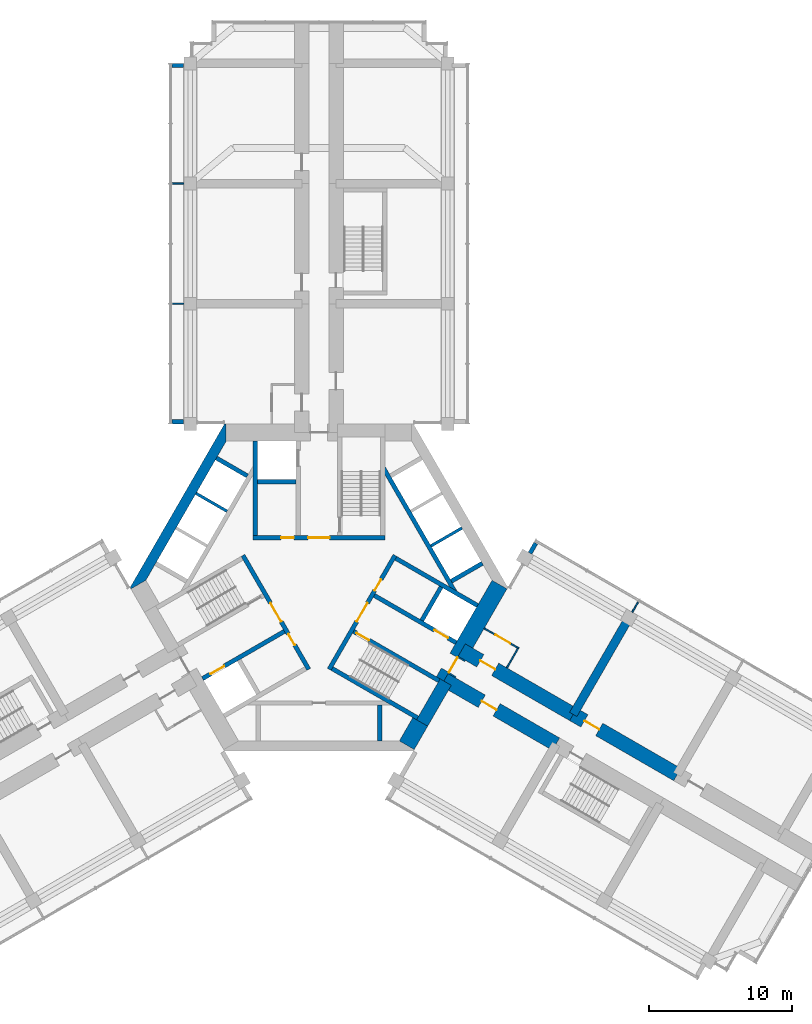
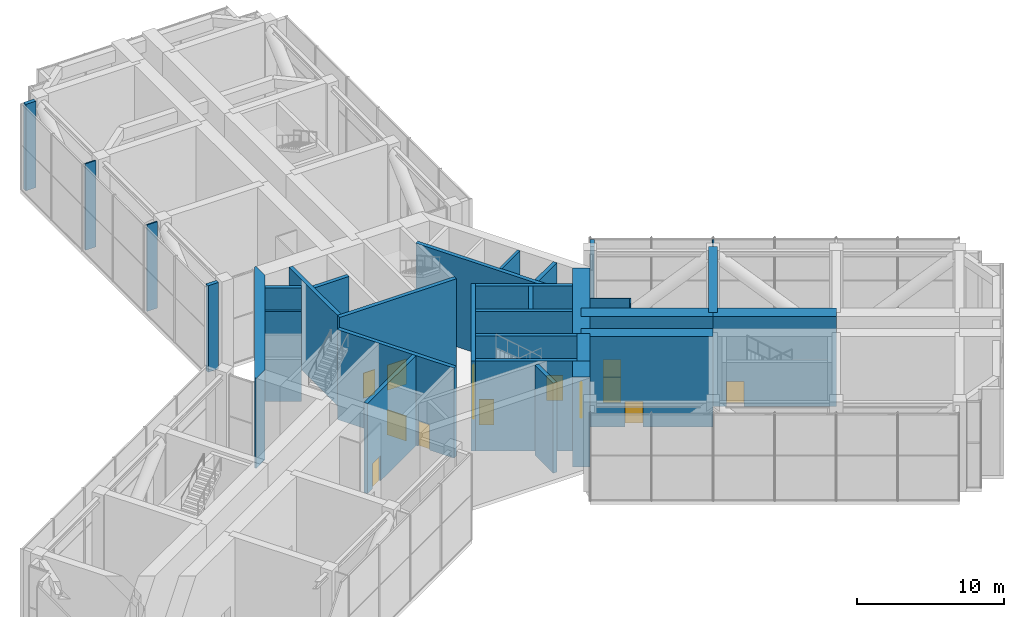
# One storey, part 13 of 16: 33 walls, 14 doors, 14 openings.
"""IFC4 building model written with IfcOpenShell, lengths in metres."""

from ifc_helpers import new_model, si_unit, direction, frame, frame_2d, origin, place, context, subcontext, project, spatial, polyline, rectangle, outline, extrude, material, layer, layer_set, type_object, element, fill, save


model = new_model("IFC4")

# Units and contexts
model_context = context("Model", 3, precision=1e-05, world=origin(), true_north=direction((0.0, 1.0)))
body_context = subcontext(model_context, "Body", "Model", "MODEL_VIEW")
ifc_project = project(units=[si_unit("LENGTHUNIT", "METRE"), si_unit("AREAUNIT", "SQUARE_METRE"), si_unit("VOLUMEUNIT", "CUBIC_METRE"), si_unit("PLANEANGLEUNIT", "RADIAN"), si_unit("MASSUNIT", "GRAM", prefix="KILO")], contexts=[model_context])

# Site, building, storey
site_placement = place(None, origin())
site = spatial("IfcSite", under=ifc_project, at=site_placement, CompositionType="ELEMENT")
building_placement = place(site_placement, origin())
building = spatial("IfcBuilding", under=site, at=building_placement, Name="Impinga Residences", CompositionType="ELEMENT")
storey_placement = place(building_placement, frame((0.0, 0.0, 181.0)))
storey = spatial("IfcBuildingStorey", under=building, at=storey_placement, Name="L45", CompositionType="ELEMENT", Elevation=181.0)

# Walls
ifc_material_1 = material(Name="Concrete blockwork", Category="masonry")
ifc_layer_1 = layer(ifc_material_1, 0.10009765625)
ifc_layer_set_1 = layer_set([ifc_layer_1], Name="CP1 core room partition, blockwork 100")
wall_type_1 = type_object("IfcWallType", Name="CP1 core room partition, blockwork 100", PredefinedType="PARTITIONING", material=ifc_layer_set_1)
for number, where, z_axis, x_axis, name in (
    (1, (-9.449951171875, 19.83154296875, 0.0), (0.0, 0.0, 1.0), (-1.0, 0.0, 0.0), "Core room partition, blockwork L45-NA1:PS1b"),
    (2, (-9.449951171875, 28.2314453125, 0.0), (0.0, 0.0, 1.0), (-1.0, 0.0, 0.0), "Core room partition, blockwork L45-NA1:PS2b"),
):
    element("IfcWall", number, at=place(storey_placement, frame(where, z_axis=z_axis, x_axis=x_axis)), inside=storey, type_object=wall_type_1, Name=name, PredefinedType="PARTITIONING", context=body_context, shape_type="SweptSolid", body=[
        extrude(rectangle(XDim=0.8095703125, YDim=0.10009765625, at=frame_2d((0.40478515625, 0.0))), origin(), (0.0, 0.0, 1.0), 7.199951171875),
    ])

# Wall, opening, door
wall_1_placement = place(storey_placement, frame((11.550048828125, -2.85791015625, 0.0), z_axis=(0.0, 0.0, 1.0), x_axis=(0.866034573852, -0.49998411664, 0.0)))
wall_1 = element("IfcWall", 3, at=wall_1_placement, inside=storey, type_object=wall_type_1, Name="Core room partition, blockwork L45-EA1:L1", PredefinedType="PARTITIONING", context=body_context, shape_type="SweptSolid", body=[
    extrude(rectangle(XDim=2.7998046875, YDim=0.10009765625, at=frame_2d((1.39990234375, 0.0))), origin(), (0.0, 0.0, 1.0), 7.199951171875),
])
opening_1_placement = place(wall_1_placement, frame((0.89990234375, 0.0, 0.0)))
opening_1 = element("IfcOpeningElement", 4, at=opening_1_placement, cuts=wall_1, Name="Opening D3", PredefinedType="OPENING", context=body_context, shape_type="SweptSolid", body=[
    extrude(rectangle(XDim=1.199951171875, YDim=2.10009765625, at=frame_2d((0.60009765625, 1.050048828125))), frame((0.0, 0.06005859375, 0.0), z_axis=(0.0, -1.0, 0.0), x_axis=(1.0, 0.0, 0.0)), (0.0, 0.0, 1.0), 0.1201171875),
])
ifc_material_2 = material(Name="Timber door set", Category="wood")
door_type_1 = type_object("IfcDoorType", Name="D3 room door, leaf and a half 1200x2100", OperationType="DOUBLE_SWING_LEFT", PredefinedType="DOOR", material=ifc_material_2)
door_1_placement = place(opening_1_placement, origin())
door_1 = element("IfcDoor", 5, at=door_1_placement, inside=storey, type_object=door_type_1, Name="Electrical switchgear plant room door L45-EA1", OperationType="DOUBLE_SWING_LEFT", OverallHeight=2.10009765625, OverallWidth=1.199951171875, PredefinedType="DOOR", context=body_context, shape_type="SweptSolid", body=[
    extrude(rectangle(XDim=1.199951171875, YDim=2.10009765625, at=frame_2d((0.60009765625, 1.050048828125))), frame((0.0, 0.02490234375, 0.0), z_axis=(0.0, -1.0, 0.0), x_axis=(1.0, 0.0, 0.0)), (0.0, 0.0, 1.0), 0.050048828125),
])
fill(opening_1, door_1)

# Walls
wall_2_placement = place(storey_placement, frame((13.131591796875, -5.618408203125, 0.0), z_axis=(0.0, 0.0, 1.0), x_axis=(0.499967891604, 0.866043940782, 0.0)))
element("IfcWall", 6, at=wall_2_placement, inside=storey, type_object=wall_type_1, Name="Core room partition, blockwork L45-EA1:L2", PredefinedType="PARTITIONING", context=body_context, shape_type="SweptSolid", body=[
    extrude(rectangle(XDim=1.5498046875, YDim=0.10009765625, at=frame_2d((0.77490234375, 0.0))), origin(), (0.0, 0.0, 1.0), 7.199951171875),
])
wall_3_placement = place(storey_placement, frame((21.899658203125, -1.73193359375, 0.0), z_axis=(0.0, 0.0, 1.0), x_axis=(0.499966081581, 0.866044985707, 0.0)))
element("IfcWall", 7, at=wall_3_placement, inside=storey, type_object=wall_type_1, Name="Core room partition, blockwork L45-EA1:PS1b", PredefinedType="PARTITIONING", context=body_context, shape_type="SweptSolid", body=[
    extrude(rectangle(XDim=0.8095703125, YDim=0.10009765625, at=frame_2d((0.40478515625, 0.0))), origin(), (0.0, 0.0, 1.0), 7.199951171875),
])
ifc_material_3 = material(Name="Stone facing on blockwork", Category="masonry")
ifc_layer_2 = layer(ifc_material_3, 0.300048828125)
ifc_layer_set_2 = layer_set([ifc_layer_2], Name="EW2 external wall, stone facing on blockwork 300")
wall_type_2 = type_object("IfcWallType", Name="EW2 external wall, stone facing on blockwork 300", PredefinedType="SOLIDWALL", material=ifc_layer_set_2)
for number, where, z_axis, x_axis, name in (
    (8, (-9.452880859375, 11.58154296875, 0.0), (0.0, 0.0, 1.0), (-1.0, 0.0, 0.0), "External wall EW2 L45"),
    (9, (-10.257568359375, 36.4814453125, 0.0), (0.0, 0.0, 1.0), (1.0, 0.0, 0.0), "External wall EW2 L45"),
    (10, (14.75634765625, 2.395751953125, 0.0), (0.0, 0.0, 1.0), (0.500055147301, 0.865993562134, 0.0), "External wall EW2 L45"),
):
    element("IfcWall", number, at=place(storey_placement, frame(where, z_axis=z_axis, x_axis=x_axis)), inside=storey, type_object=wall_type_2, Name=name, PredefinedType="SOLIDWALL", context=body_context, shape_type="SweptSolid", body=[
        extrude(rectangle(XDim=0.8046875, YDim=0.300048828125, at=frame_2d((0.40234375, 0.0))), origin(), (0.0, 0.0, 1.0), 7.199951171875),
    ])

# Wall, opening, door
ifc_material_4 = material(Name="Concrete C60/75", Category="concrete")
ifc_layer_3 = layer(ifc_material_4, 1.0)
ifc_layer_set_3 = layer_set([ifc_layer_3], Name="Concrete C60/75")
wall_type_3 = type_object("IfcWallType", Name="OW1 outrigger wall on the corridor line 1000", PredefinedType="SHEAR", material=ifc_layer_set_3)
wall_4_placement = place(storey_placement, frame((9.98046875, -4.37646484375, 0.0), z_axis=(0.0, 0.0, 1.0), x_axis=(0.866024315419, -0.5000018851, 0.0)))
wall_4 = element("IfcWall", 11, at=wall_4_placement, inside=storey, type_object=wall_type_3, Name="Corridor wall OW1 EC L45", PredefinedType="SHEAR", context=body_context, shape_type="SweptSolid", body=[
    extrude(rectangle(XDim=9.0, YDim=1.0, at=frame_2d((4.5, 0.0))), origin(), (0.0, 0.0, 1.0), 7.5),
])
opening_2_placement = place(wall_4_placement, frame((1.5, 0.0, 0.0)))
opening_2 = element("IfcOpeningElement", 12, at=opening_2_placement, cuts=wall_4, Name="Opening D3", PredefinedType="OPENING", context=body_context, shape_type="SweptSolid", body=[
    extrude(rectangle(XDim=1.199951171875, YDim=2.10009765625, at=frame_2d((0.60009765625, 1.050048828125))), frame((0.0, 0.510009765625, 0.0), z_axis=(0.0, -1.0, 0.0), x_axis=(1.0, 0.0, 0.0)), (0.0, 0.0, 1.0), 1.02001953125),
])
door_2_placement = place(opening_2_placement, origin())
door_2 = element("IfcDoor", 13, at=door_2_placement, inside=storey, type_object=door_type_1, Name="Plant room lobby door L45-EA1", OperationType="DOUBLE_SWING_LEFT", OverallHeight=2.10009765625, OverallWidth=1.199951171875, PredefinedType="DOOR", context=body_context, shape_type="SweptSolid", body=[
    extrude(rectangle(XDim=1.199951171875, YDim=2.10009765625, at=frame_2d((0.60009765625, 1.050048828125))), frame((0.0, 0.02490234375, 0.0), z_axis=(0.0, -1.0, 0.0), x_axis=(1.0, 0.0, 0.0)), (0.0, 0.0, 1.0), 0.050048828125),
])
fill(opening_2, door_2)

wall_5_placement = place(storey_placement, frame((17.774658203125, -8.87646484375, 0.0), z_axis=(0.0, 0.0, 1.0), x_axis=(0.86602925447, -0.499993330357, 0.0)))
wall_5 = element("IfcWall", 14, at=wall_5_placement, inside=storey, type_object=wall_type_3, Name="Corridor wall OW1 EC L45", PredefinedType="SHEAR", context=body_context, shape_type="SweptSolid", body=[
    extrude(rectangle(XDim=8.39990234375, YDim=1.0, at=frame_2d((4.199951171875, 0.0))), origin(), (0.0, 0.0, 1.0), 7.5),
])
opening_3_placement = place(wall_5_placement, frame((0.89990234375, 0.0, 0.0)))
opening_3 = element("IfcOpeningElement", 15, at=opening_3_placement, cuts=wall_5, Name="Opening D3", PredefinedType="OPENING", context=body_context, shape_type="SweptSolid", body=[
    extrude(rectangle(XDim=1.199951171875, YDim=2.10009765625, at=frame_2d((0.60009765625, 1.050048828125))), frame((0.0, 0.510009765625, 0.0), z_axis=(0.0, -1.0, 0.0), x_axis=(1.0, 0.0, 0.0)), (0.0, 0.0, 1.0), 1.02001953125),
])
door_3_placement = place(opening_3_placement, origin())
door_3 = element("IfcDoor", 16, at=door_3_placement, inside=storey, type_object=door_type_1, Name="Chilled water plant room door L45-EA1", OperationType="DOUBLE_SWING_LEFT", OverallHeight=2.10009765625, OverallWidth=1.199951171875, PredefinedType="DOOR", context=body_context, shape_type="SweptSolid", body=[
    extrude(rectangle(XDim=1.199951171875, YDim=2.10009765625, at=frame_2d((0.60009765625, 1.050048828125))), frame((0.0, 0.02490234375, 0.0), z_axis=(0.0, -1.0, 0.0), x_axis=(1.0, 0.0, 0.0)), (0.0, 0.0, 1.0), 0.050048828125),
])
fill(opening_3, door_3)

wall_6_placement = place(storey_placement, frame((8.7802734375, -6.455078125, 0.0), z_axis=(0.0, 0.0, 1.0), x_axis=(0.866031096941, -0.499990139034, 0.0)))
wall_6 = element("IfcWall", 17, at=wall_6_placement, inside=storey, type_object=wall_type_3, Name="Corridor wall OW1 ED L45", PredefinedType="SHEAR", context=body_context, shape_type="SweptSolid", body=[
    extrude(rectangle(XDim=9.000244140625, YDim=1.0, at=frame_2d((4.5, 0.0))), origin(), (0.0, 0.0, 1.0), 7.5),
])
opening_4_placement = place(wall_6_placement, frame((3.0, 0.0, 0.0)))
opening_4 = element("IfcOpeningElement", 18, at=opening_4_placement, cuts=wall_6, Name="Opening D3", PredefinedType="OPENING", context=body_context, shape_type="SweptSolid", body=[
    extrude(rectangle(XDim=1.199951171875, YDim=2.10009765625, at=frame_2d((0.60009765625, 1.050048828125))), frame((0.0, 0.510009765625, 0.0), z_axis=(0.0, -1.0, 0.0), x_axis=(1.0, 0.0, 0.0)), (0.0, 0.0, 1.0), 1.02001953125),
])
door_4_placement = place(opening_4_placement, origin())
door_4 = element("IfcDoor", 19, at=door_4_placement, inside=storey, type_object=door_type_1, Name="Refuge area door L45-EF1", OperationType="DOUBLE_SWING_LEFT", OverallHeight=2.10009765625, OverallWidth=1.199951171875, PredefinedType="DOOR", context=body_context, shape_type="SweptSolid", body=[
    extrude(rectangle(XDim=1.199951171875, YDim=2.10009765625, at=frame_2d((0.60009765625, 1.050048828125))), frame((0.0, 0.02490234375, 0.0), z_axis=(0.0, -1.0, 0.0), x_axis=(1.0, 0.0, 0.0)), (0.0, 0.0, 1.0), 0.050048828125),
])
fill(opening_4, door_4)

# Walls
ifc_layer_4 = layer(ifc_material_4, 0.60009765625)
ifc_layer_set_4 = layer_set([ifc_layer_4], Name="Concrete C60/75")
wall_type_4 = type_object("IfcWallType", Name="OW2 outrigger arm wall to the perimeter columns 600", PredefinedType="SHEAR", material=ifc_layer_set_4)
wall_7_placement = place(storey_placement, frame((17.774658203125, -8.87646484375, 0.0), z_axis=(0.0, 0.0, 1.0), x_axis=(0.499997012787, 0.866027128446, 0.0)))
element("IfcWall", 20, at=wall_7_placement, inside=storey, type_object=wall_type_4, Name="Outrigger wall OW2 E2/EA L45", PredefinedType="SHEAR", context=body_context, shape_type="SweptSolid", body=[
    extrude(rectangle(XDim=7.7998046875, YDim=0.60009765625, at=frame_2d((3.89990234375, 0.0))), origin(), (0.0, 0.0, 1.0), 7.5),
])
ifc_material_5 = material(Name="Concrete C70/85", Category="concrete")
ifc_layer_5 = layer(ifc_material_5, 0.89990234375)
ifc_layer_set_5 = layer_set([ifc_layer_5], Name="Concrete C70/85")
wall_type_5 = type_object("IfcWallType", Name="SW1 core wall 900", PredefinedType="SHEAR", material=ifc_layer_set_5)
wall_8_placement = place(storey_placement, frame((8.8603515625, -6.61669921875, 0.0), z_axis=(0.0, 0.0, 1.0), x_axis=(-0.500061873842, -0.865989677958, 0.0)))
element("IfcWall", 21, at=wall_8_placement, inside=storey, type_object=wall_type_5, Name="Core wall SW1 E:FACE:ST L45", PredefinedType="SHEAR", context=body_context, shape_type="SweptSolid", body=[
    extrude(rectangle(XDim=3.2998046875, YDim=0.89990234375, at=frame_2d((1.64990234375, 0.0))), origin(), (0.0, 0.0, 1.0), 7.5),
])
ifc_layer_6 = layer(ifc_material_4, 0.699951171875)
ifc_layer_set_6 = layer_set([ifc_layer_6], Name="Concrete C60/75")
wall_type_6 = type_object("IfcWallType", Name="SW3 core wall 700", PredefinedType="SHEAR", material=ifc_layer_set_6)
wall_9_placement = place(storey_placement, origin())
element("IfcWall", 22, at=wall_9_placement, inside=storey, type_object=wall_type_6, Name="Core wall SW3 E:EXPOSED L45", PredefinedType="SHEAR", context=body_context, shape_type="SweptSolid", body=[
    extrude(outline(polyline([(-6.60009765625, 11.431640625), (-13.199951171875, 0.0), (-13.142333984375, -0.10009765625), (-12.10302734375, 0.5), (-6.484619140625, 10.2314453125), (-6.484619140625, 11.431640625), (-6.60009765625, 11.431640625)])), origin(), (0.0, 0.0, 1.0), 7.5),
])

# Wall, openings, doors
ifc_layer_7 = layer(ifc_material_5, 0.300048828125)
ifc_layer_set_7 = layer_set([ifc_layer_7], Name="Concrete C70/85")
wall_type_7 = type_object("IfcWallType", Name="SW5 core inner wall, stairs, shafts and lobbies 300", PredefinedType="SHEAR", material=ifc_layer_set_7)
wall_10_placement = place(storey_placement, frame((-4.60009765625, 3.47998046875, 0.0), z_axis=(0.0, 0.0, 1.0), x_axis=(1.0, 0.0, 0.0)))
wall_10 = element("IfcWall", 23, at=wall_10_placement, inside=storey, type_object=wall_type_7, Name="Core wall SW5 N:ZONE L45", PredefinedType="SHEAR", context=body_context, shape_type="SweptSolid", body=[
    extrude(rectangle(XDim=9.2001953125, YDim=0.300048828125, at=frame_2d((4.60009765625, 0.0))), origin(), (0.0, 0.0, 1.0), 7.5),
])
opening_5_placement = place(wall_10_placement, frame((3.85009765625, 0.0, 0.0)))
opening_5 = element("IfcOpeningElement", 24, at=opening_5_placement, cuts=wall_10, Name="Opening D4", PredefinedType="OPENING", context=body_context, shape_type="SweptSolid", body=[
    extrude(rectangle(XDim=1.5, YDim=2.10009765625, at=frame_2d((0.75, 1.050048828125))), frame((0.0, 0.159912109375, 0.0), z_axis=(0.0, -1.0, 0.0), x_axis=(1.0, 0.0, 0.0)), (0.0, 0.0, 1.0), 0.320068359375),
])
opening_6_placement = place(wall_10_placement, frame((1.949951171875, 0.0, 0.0)))
opening_6 = element("IfcOpeningElement", 25, at=opening_6_placement, cuts=wall_10, Name="Opening D6", PredefinedType="OPENING", context=body_context, shape_type="SweptSolid", body=[
    extrude(rectangle(XDim=0.89990234375, YDim=2.10009765625, at=frame_2d((0.449951171875, 1.050048828125))), frame((0.0, 0.159912109375, 0.0), z_axis=(0.0, -1.0, 0.0), x_axis=(1.0, 0.0, 0.0)), (0.0, 0.0, 1.0), 0.320068359375),
])
door_type_2 = type_object("IfcDoorType", Name="D4 lobby door pair 1500x2100", OperationType="DOUBLE_DOOR_DOUBLE_SWING", PredefinedType="DOOR", material=ifc_material_2)
door_5_placement = place(opening_5_placement, origin())
door_5 = element("IfcDoor", 26, at=door_5_placement, inside=storey, type_object=door_type_2, Name="Firefighting lobby door N", OperationType="DOUBLE_DOOR_DOUBLE_SWING", OverallHeight=2.10009765625, OverallWidth=1.5, PredefinedType="DOOR", context=body_context, shape_type="SweptSolid", body=[
    extrude(rectangle(XDim=1.5, YDim=2.10009765625, at=frame_2d((0.75, 1.050048828125))), frame((0.0, 0.02490234375, 0.0), z_axis=(0.0, -1.0, 0.0), x_axis=(1.0, 0.0, 0.0)), (0.0, 0.0, 1.0), 0.050048828125),
])
fill(opening_5, door_5)
door_type_3 = type_object("IfcDoorType", Name="D6 riser and store door 900x2100", OperationType="SINGLE_SWING_LEFT", PredefinedType="DOOR", material=ifc_material_2)
door_6_placement = place(opening_6_placement, origin())
door_6 = element("IfcDoor", 27, at=door_6_placement, inside=storey, type_object=door_type_3, Name="Riser door N", OperationType="SINGLE_SWING_LEFT", OverallHeight=2.10009765625, OverallWidth=0.89990234375, PredefinedType="DOOR", context=body_context, shape_type="SweptSolid", body=[
    extrude(rectangle(XDim=0.89990234375, YDim=2.10009765625, at=frame_2d((0.449951171875, 1.050048828125))), frame((0.0, 0.02490234375, 0.0), z_axis=(0.0, -1.0, 0.0), x_axis=(1.0, 0.0, 0.0)), (0.0, 0.0, 1.0), 0.050048828125),
])
fill(opening_6, door_6)

# Walls
wall_11_placement = place(storey_placement, frame((-4.449951171875, 3.6298828125, 0.0), z_axis=(0.0, 0.0, 1.0), x_axis=(0.0, 1.0, 0.0)))
element("IfcWall", 28, at=wall_11_placement, inside=storey, type_object=wall_type_7, Name="Core wall SW5 N:FF-OUT L45", PredefinedType="SHEAR", context=body_context, shape_type="SweptSolid", body=[
    extrude(rectangle(XDim=6.6015625, YDim=0.300048828125, at=frame_2d((3.30078125, 0.0))), origin(), (0.0, 0.0, 1.0), 7.5),
])
wall_12_placement = place(storey_placement, frame((-4.300048828125, 7.3798828125, 0.0), z_axis=(0.0, 0.0, 1.0), x_axis=(1.0, 0.0, 0.0)))
element("IfcWall", 29, at=wall_12_placement, inside=storey, type_object=wall_type_7, Name="Core wall SW5 N:FF-RS L45", PredefinedType="SHEAR", context=body_context, shape_type="SweptSolid", body=[
    extrude(rectangle(XDim=2.699951171875, YDim=0.300048828125, at=frame_2d((1.35009765625, 0.0))), origin(), (0.0, 0.0, 1.0), 7.5),
])

# Wall, openings, doors
wall_13_placement = place(storey_placement, frame((-0.7138671875, -5.7236328125, 0.0), z_axis=(0.0, 0.0, 1.0), x_axis=(-0.499995050369, 0.866028261437, 0.0)))
wall_13 = element("IfcWall", 30, at=wall_13_placement, inside=storey, type_object=wall_type_7, Name="Core wall SW5 W:ZONE L45", PredefinedType="SHEAR", context=body_context, shape_type="SweptSolid", body=[
    extrude(rectangle(XDim=9.19970703125, YDim=0.300048828125, at=frame_2d((4.599853515625, 0.0))), origin(), (0.0, 0.0, 1.0), 7.5),
])
opening_7_placement = place(wall_13_placement, frame((3.85009765625, 0.0, 0.0)))
opening_7 = element("IfcOpeningElement", 31, at=opening_7_placement, cuts=wall_13, Name="Opening D4", PredefinedType="OPENING", context=body_context, shape_type="SweptSolid", body=[
    extrude(rectangle(XDim=1.5, YDim=2.10009765625, at=frame_2d((0.75, 1.050048828125))), frame((0.0, 0.159912109375, 0.0), z_axis=(0.0, -1.0, 0.0), x_axis=(1.0, 0.0, 0.0)), (0.0, 0.0, 1.0), 0.320068359375),
])
opening_8_placement = place(wall_13_placement, frame((1.949951171875, 0.0, 0.0)))
opening_8 = element("IfcOpeningElement", 32, at=opening_8_placement, cuts=wall_13, Name="Opening D6", PredefinedType="OPENING", context=body_context, shape_type="SweptSolid", body=[
    extrude(rectangle(XDim=0.89990234375, YDim=2.10009765625, at=frame_2d((0.449951171875, 1.050048828125))), frame((0.0, 0.159912109375, 0.0), z_axis=(0.0, -1.0, 0.0), x_axis=(1.0, 0.0, 0.0)), (0.0, 0.0, 1.0), 0.320068359375),
])
door_7_placement = place(opening_7_placement, origin())
door_7 = element("IfcDoor", 33, at=door_7_placement, inside=storey, type_object=door_type_2, Name="Firefighting lobby door W", OperationType="DOUBLE_DOOR_DOUBLE_SWING", OverallHeight=2.10009765625, OverallWidth=1.5, PredefinedType="DOOR", context=body_context, shape_type="SweptSolid", body=[
    extrude(rectangle(XDim=1.5, YDim=2.10009765625, at=frame_2d((0.75, 1.050048828125))), frame((0.0, 0.02490234375, 0.0), z_axis=(0.0, -1.0, 0.0), x_axis=(1.0, 0.0, 0.0)), (0.0, 0.0, 1.0), 0.050048828125),
])
fill(opening_7, door_7)
door_8_placement = place(opening_8_placement, origin())
door_8 = element("IfcDoor", 34, at=door_8_placement, inside=storey, type_object=door_type_3, Name="Riser door W", OperationType="SINGLE_SWING_LEFT", OverallHeight=2.10009765625, OverallWidth=0.89990234375, PredefinedType="DOOR", context=body_context, shape_type="SweptSolid", body=[
    extrude(rectangle(XDim=0.89990234375, YDim=2.10009765625, at=frame_2d((0.449951171875, 1.050048828125))), frame((0.0, 0.02490234375, 0.0), z_axis=(0.0, -1.0, 0.0), x_axis=(1.0, 0.0, 0.0)), (0.0, 0.0, 1.0), 0.050048828125),
])
fill(opening_8, door_8)

# Wall, opening, door
wall_14_placement = place(storey_placement, frame((-2.418701171875, -3.07080078125, 0.0), z_axis=(0.0, 0.0, 1.0), x_axis=(-0.866022381193, -0.500005235245, 0.0)))
wall_14 = element("IfcWall", 35, at=wall_14_placement, inside=storey, type_object=wall_type_7, Name="Core wall SW5 W:FF-IN L45", PredefinedType="SHEAR", context=body_context, shape_type="SweptSolid", body=[
    extrude(rectangle(XDim=6.6015625, YDim=0.300048828125, at=frame_2d((3.30078125, 0.0))), origin(), (0.0, 0.0, 1.0), 7.5),
])
opening_9_placement = place(wall_14_placement, frame((4.85009765625, 0.0, 0.0)))
opening_9 = element("IfcOpeningElement", 36, at=opening_9_placement, cuts=wall_14, Name="Opening LD2", PredefinedType="OPENING", context=body_context, shape_type="SweptSolid", body=[
    extrude(rectangle(XDim=1.10009765625, YDim=2.10009765625, at=frame_2d((0.550048828125, 1.050048828125))), frame((0.0, 0.159912109375, 0.0), z_axis=(0.0, -1.0, 0.0), x_axis=(1.0, 0.0, 0.0)), (0.0, 0.0, 1.0), 0.320068359375),
])
ifc_material_6 = material(Name="Steel lift landing door", Category="steel")
door_type_4 = type_object("IfcDoorType", Name="LD2 firefighting lift landing door 1100x2100", OperationType="DOUBLE_DOOR_SLIDING", PredefinedType="DOOR", material=ifc_material_6)
door_9_placement = place(opening_9_placement, origin())
door_9 = element("IfcDoor", 37, at=door_9_placement, inside=storey, type_object=door_type_4, Name="Firefighting lift landing door F2", OperationType="DOUBLE_DOOR_SLIDING", OverallHeight=2.10009765625, OverallWidth=1.10009765625, PredefinedType="DOOR", context=body_context, shape_type="SweptSolid", body=[
    extrude(rectangle(XDim=1.10009765625, YDim=2.10009765625, at=frame_2d((0.550048828125, 1.050048828125))), frame((0.0, 0.02490234375, 0.0), z_axis=(0.0, -1.0, 0.0), x_axis=(1.0, 0.0, 0.0)), (0.0, 0.0, 1.0), 0.050048828125),
])
fill(opening_9, door_9)

# Wall, openings, doors
wall_15_placement = place(storey_placement, frame((5.313720703125, 2.24365234375, 0.0), z_axis=(0.0, 0.0, 1.0), x_axis=(-0.499995050369, -0.866028261437, 0.0)))
wall_15 = element("IfcWall", 38, at=wall_15_placement, inside=storey, type_object=wall_type_7, Name="Core wall SW5 E:ZONE L45", PredefinedType="SHEAR", context=body_context, shape_type="SweptSolid", body=[
    extrude(rectangle(XDim=9.19970703125, YDim=0.300048828125, at=frame_2d((4.599853515625, 0.0))), origin(), (0.0, 0.0, 1.0), 7.5),
])
opening_10_placement = place(wall_15_placement, frame((3.85009765625, 0.0, 0.0)))
opening_10 = element("IfcOpeningElement", 39, at=opening_10_placement, cuts=wall_15, Name="Opening D4", PredefinedType="OPENING", context=body_context, shape_type="SweptSolid", body=[
    extrude(rectangle(XDim=1.5, YDim=2.10009765625, at=frame_2d((0.75, 1.050048828125))), frame((0.0, 0.159912109375, 0.0), z_axis=(0.0, -1.0, 0.0), x_axis=(1.0, 0.0, 0.0)), (0.0, 0.0, 1.0), 0.320068359375),
])
opening_11_placement = place(wall_15_placement, frame((1.949951171875, 0.0, 0.0)))
opening_11 = element("IfcOpeningElement", 40, at=opening_11_placement, cuts=wall_15, Name="Opening D6", PredefinedType="OPENING", context=body_context, shape_type="SweptSolid", body=[
    extrude(rectangle(XDim=0.89990234375, YDim=2.10009765625, at=frame_2d((0.449951171875, 1.050048828125))), frame((0.0, 0.159912109375, 0.0), z_axis=(0.0, -1.0, 0.0), x_axis=(1.0, 0.0, 0.0)), (0.0, 0.0, 1.0), 0.320068359375),
])
door_10_placement = place(opening_10_placement, origin())
door_10 = element("IfcDoor", 41, at=door_10_placement, inside=storey, type_object=door_type_2, Name="Firefighting lobby door E", OperationType="DOUBLE_DOOR_DOUBLE_SWING", OverallHeight=2.10009765625, OverallWidth=1.5, PredefinedType="DOOR", context=body_context, shape_type="SweptSolid", body=[
    extrude(rectangle(XDim=1.5, YDim=2.10009765625, at=frame_2d((0.75, 1.050048828125))), frame((0.0, 0.02490234375, 0.0), z_axis=(0.0, -1.0, 0.0), x_axis=(1.0, 0.0, 0.0)), (0.0, 0.0, 1.0), 0.050048828125),
])
fill(opening_10, door_10)
door_11_placement = place(opening_11_placement, origin())
door_11 = element("IfcDoor", 42, at=door_11_placement, inside=storey, type_object=door_type_3, Name="Riser door E", OperationType="SINGLE_SWING_LEFT", OverallHeight=2.10009765625, OverallWidth=0.89990234375, PredefinedType="DOOR", context=body_context, shape_type="SweptSolid", body=[
    extrude(rectangle(XDim=0.89990234375, YDim=2.10009765625, at=frame_2d((0.449951171875, 1.050048828125))), frame((0.0, 0.02490234375, 0.0), z_axis=(0.0, -1.0, 0.0), x_axis=(1.0, 0.0, 0.0)), (0.0, 0.0, 1.0), 0.050048828125),
])
fill(opening_11, door_11)

# Wall, opening, door
wall_16_placement = place(storey_placement, frame((2.418701171875, -3.07080078125, 0.0), z_axis=(0.0, 0.0, 1.0), x_axis=(0.86602711848, -0.499997030048, 0.0)))
wall_16 = element("IfcWall", 43, at=wall_16_placement, inside=storey, type_object=wall_type_7, Name="Core wall SW5 E:ST-IN L45", PredefinedType="SHEAR", context=body_context, shape_type="SweptSolid", body=[
    extrude(rectangle(XDim=6.9013671875, YDim=0.300048828125, at=frame_2d((3.45068359375, 0.0))), origin(), (0.0, 0.0, 1.0), 7.5),
])
opening_12_placement = place(wall_16_placement, frame((0.25, 0.0, 0.0)))
opening_12 = element("IfcOpeningElement", 44, at=opening_12_placement, cuts=wall_16, Name="Opening D5", PredefinedType="OPENING", context=body_context, shape_type="SweptSolid", body=[
    extrude(rectangle(XDim=1.0, YDim=2.10009765625, at=frame_2d((0.5, 1.050048828125))), frame((0.0, 0.159912109375, 0.0), z_axis=(0.0, -1.0, 0.0), x_axis=(1.0, 0.0, 0.0)), (0.0, 0.0, 1.0), 0.320068359375),
])
door_type_5 = type_object("IfcDoorType", Name="D5 stair door 1000x2100", OperationType="SINGLE_SWING_LEFT", PredefinedType="DOOR", material=ifc_material_2)
door_12_placement = place(opening_12_placement, origin())
door_12 = element("IfcDoor", 45, at=door_12_placement, inside=storey, type_object=door_type_5, Name="Stair door E", OperationType="SINGLE_SWING_LEFT", OverallHeight=2.10009765625, OverallWidth=1.0, PredefinedType="DOOR", context=body_context, shape_type="SweptSolid", body=[
    extrude(rectangle(XDim=1.0, YDim=2.10009765625, at=frame_2d((0.5, 1.050048828125))), frame((0.0, 0.02490234375, 0.0), z_axis=(0.0, -1.0, 0.0), x_axis=(1.0, 0.0, 0.0)), (0.0, 0.0, 1.0), 0.050048828125),
])
fill(opening_12, door_12)

# Wall
wall_17_placement = place(storey_placement, frame((0.918701171875, -5.668701171875, 0.0), z_axis=(0.0, 0.0, 1.0), x_axis=(0.866011800373, -0.500023561059, 0.0)))
element("IfcWall", 46, at=wall_17_placement, inside=storey, type_object=wall_type_7, Name="Core wall SW5 E:ST-OUT L45", PredefinedType="SHEAR", context=body_context, shape_type="SweptSolid", body=[
    extrude(rectangle(XDim=6.901611328125, YDim=0.300048828125, at=frame_2d((3.45068359375, 0.0))), origin(), (0.0, 0.0, 1.0), 7.5),
])

# Wall, opening, door
wall_18_placement = place(storey_placement, frame((3.86865234375, -0.559326171875, 0.0), z_axis=(0.0, 0.0, 1.0), x_axis=(0.866022381193, -0.500005235245, 0.0)))
wall_18 = element("IfcWall", 47, at=wall_18_placement, inside=storey, type_object=wall_type_7, Name="Core wall SW5 E:FF-IN L45", PredefinedType="SHEAR", context=body_context, shape_type="SweptSolid", body=[
    extrude(rectangle(XDim=6.6015625, YDim=0.300048828125, at=frame_2d((3.30078125, 0.0))), origin(), (0.0, 0.0, 1.0), 7.5),
])
opening_13_placement = place(wall_18_placement, frame((4.85009765625, 0.0, 0.0)))
opening_13 = element("IfcOpeningElement", 48, at=opening_13_placement, cuts=wall_18, Name="Opening LD2", PredefinedType="OPENING", context=body_context, shape_type="SweptSolid", body=[
    extrude(rectangle(XDim=1.10009765625, YDim=2.10009765625, at=frame_2d((0.550048828125, 1.050048828125))), frame((0.0, 0.159912109375, 0.0), z_axis=(0.0, -1.0, 0.0), x_axis=(1.0, 0.0, 0.0)), (0.0, 0.0, 1.0), 0.320068359375),
])
door_13_placement = place(opening_13_placement, origin())
door_13 = element("IfcDoor", 49, at=door_13_placement, inside=storey, type_object=door_type_4, Name="Firefighting lift landing door F3", OperationType="DOUBLE_DOOR_SLIDING", OverallHeight=2.10009765625, OverallWidth=1.10009765625, PredefinedType="DOOR", context=body_context, shape_type="SweptSolid", body=[
    extrude(rectangle(XDim=1.10009765625, YDim=2.10009765625, at=frame_2d((0.550048828125, 1.050048828125))), frame((0.0, 0.02490234375, 0.0), z_axis=(0.0, -1.0, 0.0), x_axis=(1.0, 0.0, 0.0)), (0.0, 0.0, 1.0), 0.050048828125),
])
fill(opening_13, door_13)

# Walls
wall_19_placement = place(storey_placement, frame((5.36865234375, 2.038818359375, 0.0), z_axis=(0.0, 0.0, 1.0), x_axis=(0.866022381193, -0.500005235245, 0.0)))
element("IfcWall", 50, at=wall_19_placement, inside=storey, type_object=wall_type_7, Name="Core wall SW5 E:FF-OUT L45", PredefinedType="SHEAR", context=body_context, shape_type="SweptSolid", body=[
    extrude(rectangle(XDim=6.6015625, YDim=0.300048828125, at=frame_2d((3.30078125, 0.0))), origin(), (0.0, 0.0, 1.0), 7.5),
])
wall_20_placement = place(storey_placement, frame((8.541259765625, 0.033935546875, 0.0), z_axis=(0.0, 0.0, 1.0), x_axis=(-0.50000943426, -0.866019956843, 0.0)))
element("IfcWall", 51, at=wall_20_placement, inside=storey, type_object=wall_type_7, Name="Core wall SW5 E:FF-RS L45", PredefinedType="SHEAR", context=body_context, shape_type="SweptSolid", body=[
    extrude(rectangle(XDim=2.7001953125, YDim=0.300048828125, at=frame_2d((1.35009765625, 0.0))), origin(), (0.0, 0.0, 1.0), 7.5),
])
wall_21_placement = place(storey_placement, frame((4.25, -8.2314453125, 0.0), z_axis=(0.0, 0.0, 1.0), x_axis=(0.0, -1.0, 0.0)))
element("IfcWall", 52, at=wall_21_placement, inside=storey, type_object=wall_type_7, Name="Core wall SW5 N:BANK-L L45", PredefinedType="SHEAR", context=body_context, shape_type="SweptSolid", body=[
    extrude(rectangle(XDim=2.5, YDim=0.300048828125, at=frame_2d((1.25, 0.0))), origin(), (0.0, 0.0, 1.0), 7.5),
])
wall_22_placement = place(storey_placement, frame((4.449951171875, 8.455322265625, 0.0), z_axis=(0.0, 0.0, 1.0), x_axis=(0.500002290144, -0.866024081565, 0.0)))
element("IfcWall", 53, at=wall_22_placement, inside=storey, type_object=wall_type_7, Name="Core wall SW5 W:BANK-FRONT L45", PredefinedType="SHEAR", context=body_context, shape_type="SweptSolid", body=[
    extrude(rectangle(XDim=10.1953125, YDim=0.300048828125, at=frame_2d((5.09765625, 0.0))), origin(), (0.0, 0.0, 1.0), 7.5),
])
for number, where, z_axis, x_axis, name in (
    (54, (9.253662109375, 0.43505859375, 0.0), (0.0, 0.0, 1.0), (0.866022959057, 0.500004234368, 0.0), "Core wall SW5 W:BANK-R L45"),
    (55, (-5.003662109375, 7.79638671875, 0.0), (0.0, 0.0, 1.0), (-0.866022959057, 0.500004234368, 0.0), "Core wall SW5 E:BANK-R L45"),
):
    element("IfcWall", number, at=place(storey_placement, frame(where, z_axis=z_axis, x_axis=x_axis)), inside=storey, type_object=wall_type_7, Name=name, PredefinedType="SHEAR", context=body_context, shape_type="SweptSolid", body=[
        extrude(rectangle(XDim=2.5, YDim=0.300048828125, at=frame_2d((1.25, 0.0))), origin(), (0.0, 0.0, 1.0), 7.5),
    ])
ifc_layer_8 = layer(ifc_material_5, 0.199951171875)
ifc_layer_set_8 = layer_set([ifc_layer_8], Name="Concrete C70/85")
wall_type_8 = type_object("IfcWallType", Name="SW6 lift shaft divider wall 200", PredefinedType="SHEAR", material=ifc_layer_set_8)
wall_23_placement = place(storey_placement, frame((7.82861328125, 2.9033203125, 0.0), z_axis=(0.0, 0.0, 1.0), x_axis=(0.866047370643, 0.499961950354, 0.0)))
element("IfcWall", 56, at=wall_23_placement, inside=storey, type_object=wall_type_8, Name="Core wall SW6 W:BANK-D2 L45", PredefinedType="SHEAR", context=body_context, shape_type="SweptSolid", body=[
    extrude(rectangle(XDim=2.500244140625, YDim=0.199951171875, at=frame_2d((1.25, 0.0))), origin(), (0.0, 0.0, 1.0), 7.5),
])
wall_24_placement = place(storey_placement, frame((-6.4287109375, 5.328125, 0.0), z_axis=(0.0, 0.0, 1.0), x_axis=(-0.866022959057, 0.500004234368, 0.0)))
element("IfcWall", 57, at=wall_24_placement, inside=storey, type_object=wall_type_8, Name="Core wall SW6 E:BANK-D2 L45", PredefinedType="SHEAR", context=body_context, shape_type="SweptSolid", body=[
    extrude(rectangle(XDim=2.5, YDim=0.199951171875, at=frame_2d((1.25, 0.0))), origin(), (0.0, 0.0, 1.0), 7.5),
])

# Wall, opening, door
ifc_layer_9 = layer(ifc_material_4, 1.199951171875)
ifc_layer_set_9 = layer_set([ifc_layer_9], Name="Concrete C60/75")
wall_type_9 = type_object("IfcWallType", Name="SW7 core wall, outrigger storey L45 wing faces 1200", PredefinedType="SHEAR", material=ifc_layer_set_9)
wall_25_placement = place(storey_placement, frame((12.62255859375, 0.199951171875, 0.0), z_axis=(0.0, 0.0, 1.0), x_axis=(-0.499991226532, -0.866030469089, 0.0)))
wall_25 = element("IfcWall", 58, at=wall_25_placement, inside=storey, type_object=wall_type_9, Name="Core wall SW7 E:FACE L45", PredefinedType="SHEAR", context=body_context, shape_type="SweptSolid", body=[
    extrude(rectangle(XDim=7.784423828125, YDim=1.199951171875, at=frame_2d((3.89208984375, 0.0))), origin(), (0.0, 0.0, 1.0), 7.5),
])
opening_14_placement = place(wall_25_placement, frame((5.884521484375, 0.0, 0.0)))
opening_14 = element("IfcOpeningElement", 59, at=opening_14_placement, cuts=wall_25, Name="Opening D9", PredefinedType="OPENING", context=body_context, shape_type="SweptSolid", body=[
    extrude(rectangle(XDim=1.199951171875, YDim=2.10009765625, at=frame_2d((0.60009765625, 1.050048828125))), frame((0.0, 0.60986328125, 0.0), z_axis=(0.0, -1.0, 0.0), x_axis=(1.0, 0.0, 0.0)), (0.0, 0.0, 1.0), 1.219970703125),
])
door_type_6 = type_object("IfcDoorType", Name="D9 firefighting lobby door, leaf and a half 1200x2100", OperationType="DOUBLE_SWING_LEFT", PredefinedType="DOOR", material=ifc_material_2)
door_14_placement = place(opening_14_placement, origin())
door_14 = element("IfcDoor", 60, at=door_14_placement, inside=storey, type_object=door_type_6, Name="Lobby door E", OperationType="DOUBLE_SWING_LEFT", OverallHeight=2.10009765625, OverallWidth=1.199951171875, PredefinedType="DOOR", context=body_context, shape_type="SweptSolid", body=[
    extrude(rectangle(XDim=1.199951171875, YDim=2.10009765625, at=frame_2d((0.60009765625, 1.050048828125))), frame((0.0, 0.02490234375, 0.0), z_axis=(0.0, -1.0, 0.0), x_axis=(1.0, 0.0, 0.0)), (0.0, 0.0, 1.0), 0.050048828125),
])
fill(opening_14, door_14)

# Wall
wall_26_placement = place(storey_placement, frame((7.080322265625, -9.3994140625, 0.0), z_axis=(0.0, 0.0, 1.0), x_axis=(-0.499943007209, -0.866058306087, 0.0)))
element("IfcWall", 61, at=wall_26_placement, inside=storey, type_object=wall_type_9, Name="Core wall SW7 E:FACE:E L45", PredefinedType="SHEAR", context=body_context, shape_type="SweptSolid", body=[
    extrude(rectangle(XDim=1.884521484375, YDim=1.199951171875, at=frame_2d((0.9423828125, 0.0))), origin(), (0.0, 0.0, 1.0), 7.5),
])

save(model, "model.ifc")
